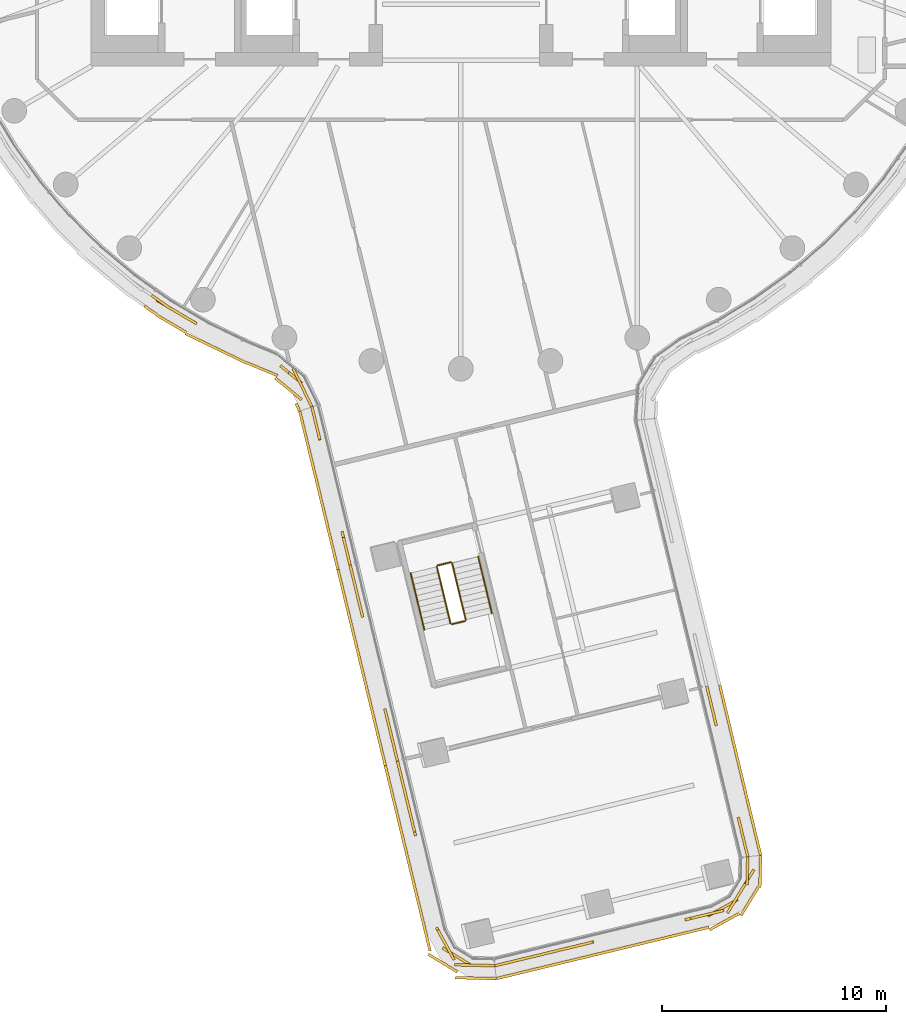
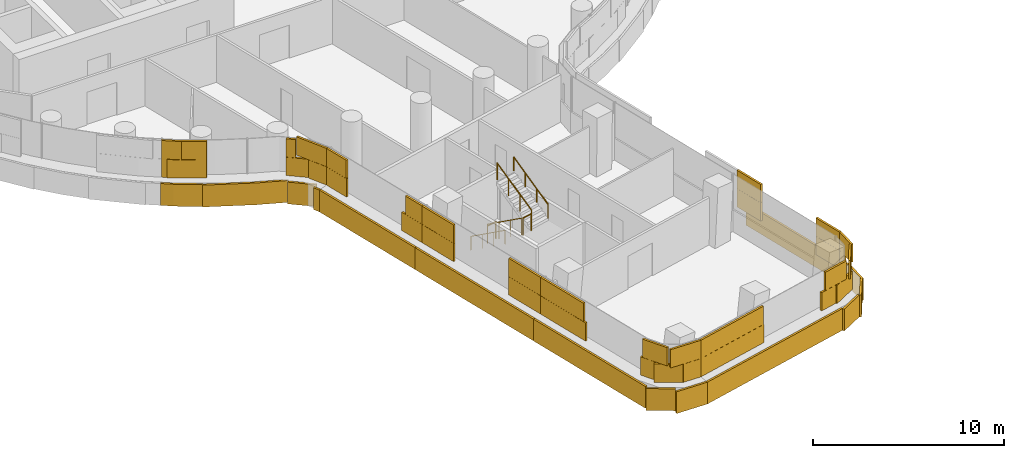
# One storey, part 25 of 33: 6 coverings, 6 railings.
"""IFC4 building model written with IfcOpenShell, lengths in metres."""

from ifc_helpers import new_model, si_unit, direction, frame, origin, origin_2d, place, context, subcontext, project, spatial, rectangle, circle, extrude, material, layer, layer_set, type_object, element, save


model = new_model("IFC4")

# Units and contexts
model_context = context("Model", 3, precision=1e-05, world=origin(), true_north=direction((0.0, 1.0)))
body_context = subcontext(model_context, "Body", "Model", "MODEL_VIEW")
ifc_project = project(units=[si_unit("LENGTHUNIT", "METRE"), si_unit("AREAUNIT", "SQUARE_METRE"), si_unit("VOLUMEUNIT", "CUBIC_METRE"), si_unit("PLANEANGLEUNIT", "RADIAN"), si_unit("MASSUNIT", "GRAM", prefix="KILO")], contexts=[model_context])

# Site, building, storey
site_placement = place(None, origin())
site = spatial("IfcSite", under=ifc_project, at=site_placement, CompositionType="ELEMENT")
building_placement = place(site_placement, origin())
building = spatial("IfcBuilding", under=site, at=building_placement, Name="Tamarind Cross Interchange Tower", CompositionType="ELEMENT")
storey_placement = place(building_placement, frame((0.0, 0.0, 83.5)))
storey = spatial("IfcBuildingStorey", under=building, at=storey_placement, Name="L19", CompositionType="ELEMENT", Elevation=83.5)

# Railings
ifc_material_1 = material(Name="Stair guard")
railing_type_1 = type_object("IfcRailingType", Name="Stair guard", PredefinedType="GUARDRAIL", material=ifc_material_1)
railing_1_placement = place(storey_placement, frame((-1.072265625, -31.82666015625, 0.17041015625)))
element("IfcRailing", 1, at=railing_1_placement, inside=storey, type_object=railing_type_1, Name="L19 ST6 stair guard 1", PredefinedType="GUARDRAIL", context=body_context, shape_type="SweptSolid", body=[
    extrude(circle(Radius=0.02392578125, at=origin_2d()), frame((0.0, 0.0, 1.076171875), z_axis=(0.196395776398, -0.812910466723, 0.548274814399), x_axis=(0.972034184093, 0.234839402475, 0.0)), (0.0, 0.0, 1.0), 3.10888671875),
    extrude(circle(Radius=0.02099609375, at=origin_2d()), origin(), (0.0, 0.0, 1.0), 1.052001953125),
    extrude(circle(Radius=0.02099609375, at=origin_2d()), frame((0.20361328125, -0.842529296875, 0.568115234375)), (0.0, 0.0, 1.0), 1.052001953125),
    extrude(circle(Radius=0.02099609375, at=origin_2d()), frame((0.406982421875, -1.684814453125, 1.136474609375)), (0.0, 0.0, 1.0), 1.052001953125),
    extrude(circle(Radius=0.02099609375, at=origin_2d()), frame((0.610595703125, -2.52734375, 1.70458984375)), (0.0, 0.0, 1.0), 1.052001953125),
])
railing_2_placement = place(storey_placement, frame((-0.4013671875, -34.390869140625, 1.875)))
element("IfcRailing", 2, at=railing_2_placement, inside=storey, type_object=railing_type_1, Name="L19 ST6 stair guard 2", PredefinedType="GUARDRAIL", context=body_context, shape_type="SweptSolid", body=[
    extrude(circle(Radius=0.02392578125, at=origin_2d()), frame((0.0, 0.0, 1.076171875), z_axis=(0.97195727422, 0.235157515487, 0.0), x_axis=(-0.235157515487, 0.97195727422, 0.0)), (0.0, 0.0, 1.0), 0.60009765625),
    extrude(circle(Radius=0.02099609375, at=origin_2d()), origin(), (0.0, 0.0, 1.0), 1.052001953125),
    extrude(circle(Radius=0.02099609375, at=origin_2d()), frame((0.583251953125, 0.14111328125, 0.0)), (0.0, 0.0, 1.0), 1.052001953125),
])
railing_3_placement = place(storey_placement, frame((0.21875, -34.189453125, 2.04541015625)))
element("IfcRailing", 3, at=railing_3_placement, inside=storey, type_object=railing_type_1, Name="L19 ST6 stair guard 3", PredefinedType="GUARDRAIL", context=body_context, shape_type="SweptSolid", body=[
    extrude(circle(Radius=0.02392578125, at=origin_2d()), frame((0.0, 0.0, 1.076171875), z_axis=(-0.196408313984, 0.812883829688, 0.548309815369), x_axis=(-0.972029004941, -0.234860838697, 0.0)), (0.0, 0.0, 1.0), 3.10888671875),
    extrude(circle(Radius=0.02099609375, at=origin_2d()), origin(), (0.0, 0.0, 1.0), 1.052001953125),
    extrude(circle(Radius=0.02099609375, at=origin_2d()), frame((-0.20361328125, 0.84228515625, 0.568115234375)), (0.0, 0.0, 1.0), 1.052001953125),
    extrude(circle(Radius=0.02099609375, at=origin_2d()), frame((-0.406982421875, 1.684814453125, 1.136474609375)), (0.0, 0.0, 1.0), 1.052001953125),
    extrude(circle(Radius=0.02099609375, at=origin_2d()), frame((-0.610595703125, 2.527099609375, 1.70458984375)), (0.0, 0.0, 1.0), 1.052001953125),
])
railing_4_placement = place(storey_placement, frame((-1.035400390625, -31.766357421875, 0.0)))
element("IfcRailing", 4, at=railing_4_placement, inside=storey, type_object=railing_type_1, Name="L19 ST6 stair guard 4", PredefinedType="GUARDRAIL", context=body_context, shape_type="SweptSolid", body=[
    extrude(circle(Radius=0.02392578125, at=origin_2d()), frame((0.0, 0.0, 1.076171875), z_axis=(0.972050197277, 0.234773111691, 0.0), x_axis=(-0.234773111691, 0.972050197277, 0.0)), (0.0, 0.0, 1.0), 0.60009765625),
    extrude(circle(Radius=0.02099609375, at=origin_2d()), origin(), (0.0, 0.0, 1.0), 1.052001953125),
    extrude(circle(Radius=0.02099609375, at=origin_2d()), frame((0.583251953125, 0.140869140625, 0.0)), (0.0, 0.0, 1.0), 1.052001953125),
])
ifc_material_2 = material(Name="Stair handrail")
railing_type_2 = type_object("IfcRailingType", Name="Stair handrail", PredefinedType="HANDRAIL", material=ifc_material_2)
railing_5_placement = place(storey_placement, frame((-2.23876953125, -32.1083984375, 0.17041015625)))
element("IfcRailing", 5, at=railing_5_placement, inside=storey, type_object=railing_type_2, Name="L19 ST6 stair handrail 1", PredefinedType="HANDRAIL", context=body_context, shape_type="SweptSolid", body=[
    extrude(circle(Radius=0.02392578125, at=origin_2d()), frame((0.0, 0.0, 0.8759765625), z_axis=(0.196395776398, -0.812910466723, 0.548274814399), x_axis=(0.972034184093, 0.234839402475, 0.0)), (0.0, 0.0, 1.0), 3.10888671875),
    extrude(circle(Radius=0.02099609375, at=origin_2d()), origin(), (0.0, 0.0, 1.0), 0.851806640625),
    extrude(circle(Radius=0.02099609375, at=origin_2d()), frame((0.20361328125, -0.842529296875, 0.568115234375)), (0.0, 0.0, 1.0), 0.851806640625),
    extrude(circle(Radius=0.02099609375, at=origin_2d()), frame((0.406982421875, -1.684814453125, 1.136474609375)), (0.0, 0.0, 1.0), 0.851806640625),
    extrude(circle(Radius=0.02099609375, at=origin_2d()), frame((0.610595703125, -2.52734375, 1.70458984375)), (0.0, 0.0, 1.0), 0.851806640625),
])
railing_6_placement = place(storey_placement, frame((1.38525390625, -33.90771484375, 2.04541015625)))
element("IfcRailing", 6, at=railing_6_placement, inside=storey, type_object=railing_type_2, Name="L19 ST6 stair handrail 2", PredefinedType="HANDRAIL", context=body_context, shape_type="SweptSolid", body=[
    extrude(circle(Radius=0.02392578125, at=origin_2d()), frame((0.0, 0.0, 0.8759765625), z_axis=(-0.196395776398, 0.812910466723, 0.548274814399), x_axis=(-0.972034184093, -0.234839402475, 0.0)), (0.0, 0.0, 1.0), 3.10888671875),
    extrude(circle(Radius=0.02099609375, at=origin_2d()), origin(), (0.0, 0.0, 1.0), 0.851806640625),
    extrude(circle(Radius=0.02099609375, at=origin_2d()), frame((-0.20361328125, 0.842529296875, 0.568115234375)), (0.0, 0.0, 1.0), 0.851806640625),
    extrude(circle(Radius=0.02099609375, at=origin_2d()), frame((-0.406982421875, 1.684814453125, 1.136474609375)), (0.0, 0.0, 1.0), 0.851806640625),
    extrude(circle(Radius=0.02099609375, at=origin_2d()), frame((-0.610595703125, 2.52734375, 1.70458984375)), (0.0, 0.0, 1.0), 0.851806640625),
])

# Coverings
ifc_material_3 = material(Name="Terracotta", Category="masonry")
ifc_layer = layer(ifc_material_3, 0.1201171875)
ifc_layer_set = layer_set([ifc_layer], Name="Terracotta")
covering_type = type_object("IfcCoveringType", Name="Terracotta baguette screen unit", PredefinedType="MOLDING", material=ifc_layer_set)
covering_1_placement = place(storey_placement, origin())
element("IfcCovering", 7, at=covering_1_placement, inside=storey, type_object=covering_type, Name="SCR-L19-06-01", PredefinedType="MOLDING", context=body_context, shape_type="SweptSolid", body=[
    extrude(rectangle(XDim=0.298095703125, YDim=0.1201171875, at=origin_2d()), frame((-13.66259765625, -19.813232421875, 1.404052734375), z_axis=(0.0, 0.0, 1.0), x_axis=(0.816341886298, -0.577568978284, 0.0)), (0.0, 0.0, 1.0), 1.1669921875),
    extrude(rectangle(XDim=1.52001953125, YDim=0.1201171875, at=origin_2d()), frame((-12.92431640625, -20.31640625, 1.404052734375), z_axis=(0.0, 0.0, 1.0), x_axis=(0.861248933065, -0.508183308752, 0.0)), (0.0, 0.0, 1.0), 1.1669921875),
    extrude(rectangle(XDim=0.58251953125, YDim=0.1201171875, at=origin_2d()), frame((-12.03173828125, -20.843017578125, 1.404052734375), z_axis=(0.0, 0.0, 1.0), x_axis=(0.861248933065, -0.508183308752, 0.0)), (0.0, 0.0, 1.0), 1.1669921875),
    extrude(rectangle(XDim=1.237548828125, YDim=0.1201171875, at=origin_2d()), frame((-7.568603515625, -23.252685546875, 1.404052734375), z_axis=(0.0, 0.0, 1.0), x_axis=(0.77396322727, -0.633230544773, 0.0)), (0.0, 0.0, 1.0), 1.1669921875),
    extrude(rectangle(XDim=1.142822265625, YDim=0.1201171875, at=origin_2d()), frame((-6.891845703125, -24.1875, 1.404052734375), z_axis=(0.0, 0.0, 1.0), x_axis=(0.43992053999, -0.898036702198, 0.0)), (0.0, 0.0, 1.0), 1.1669921875),
    extrude(rectangle(XDim=1.048095703125, YDim=0.1201171875, at=origin_2d()), frame((-13.3564453125, -20.02978515625, 2.5791015625), z_axis=(0.0, 0.0, 1.0), x_axis=(0.816341886298, -0.577568978284, 0.0)), (0.0, 0.0, 1.0), 1.1669921875),
    extrude(rectangle(XDim=1.33251953125, YDim=0.1201171875, at=origin_2d()), frame((-12.354736328125, -20.652587890625, 2.5791015625), z_axis=(0.0, 0.0, 1.0), x_axis=(0.861248933065, -0.508183308752, 0.0)), (0.0, 0.0, 1.0), 1.1669921875),
    extrude(rectangle(XDim=0.487548828125, YDim=0.1201171875, at=origin_2d()), frame((-7.85888671875, -23.01513671875, 2.5791015625), z_axis=(0.0, 0.0, 1.0), x_axis=(0.77396322727, -0.633230544773, 0.0)), (0.0, 0.0, 1.0), 1.1669921875),
    extrude(rectangle(XDim=1.52001953125, YDim=0.1201171875, at=origin_2d()), frame((-7.140869140625, -23.678955078125, 2.5791015625), z_axis=(0.0, 0.0, 1.0), x_axis=(0.43992053999, -0.898036702198, 0.0)), (0.0, 0.0, 1.0), 1.1669921875),
    extrude(rectangle(XDim=0.392822265625, YDim=0.1201171875, at=origin_2d()), frame((-6.726806640625, -24.5244140625, 2.5791015625), z_axis=(0.0, 0.0, 1.0), x_axis=(0.43992053999, -0.898036702198, 0.0)), (0.0, 0.0, 1.0), 1.1669921875),
    extrude(rectangle(XDim=0.705810546875, YDim=0.1201171875, at=origin_2d()), frame((-13.82080078125, -20.404541015625, 0.00390625), z_axis=(0.0, 0.0, 1.0), x_axis=(0.816341886298, -0.577568978284, 0.0)), (0.0, 0.0, 1.0), 1.39208984375),
    extrude(rectangle(XDim=1.52001953125, YDim=0.1201171875, at=origin_2d()), frame((-12.902587890625, -20.995849609375, 0.00390625), z_axis=(0.0, 0.0, 1.0), x_axis=(0.861248933065, -0.508183308752, 0.0)), (0.0, 0.0, 1.0), 1.39208984375),
    extrude(rectangle(XDim=1.52001953125, YDim=0.1201171875, at=origin_2d()), frame((-11.609375, -21.755126953125, 0.00390625), z_axis=(0.0, 0.0, 1.0), x_axis=(0.900272776334, -0.435326231914, 0.0)), (0.0, 0.0, 1.0), 1.39208984375),
    extrude(rectangle(XDim=1.52001953125, YDim=0.1201171875, at=origin_2d()), frame((-10.2587890625, -22.408203125, 0.00390625), z_axis=(0.0, 0.0, 1.0), x_axis=(0.900272776334, -0.435326231914, 0.0)), (0.0, 0.0, 1.0), 1.39208984375),
    extrude(rectangle(XDim=1.52001953125, YDim=0.1201171875, at=origin_2d()), frame((-8.885009765625, -23.0087890625, 0.00390625), z_axis=(0.0, 0.0, 1.0), x_axis=(0.923563862157, -0.383444640748, 0.0)), (0.0, 0.0, 1.0), 1.39208984375),
    extrude(rectangle(XDim=1.52001953125, YDim=0.1201171875, at=origin_2d()), frame((-7.687255859375, -23.897216796875, 0.00390625), z_axis=(0.0, 0.0, 1.0), x_axis=(0.77396322727, -0.633230544773, 0.0)), (0.0, 0.0, 1.0), 1.39208984375),
    extrude(rectangle(XDim=0.376953125, YDim=0.1201171875, at=origin_2d()), frame((-7.2685546875, -24.722900390625, 0.00390625), z_axis=(0.0, 0.0, 1.0), x_axis=(0.43992053999, -0.898036702198, 0.0)), (0.0, 0.0, 1.0), 1.39208984375),
])
covering_2_placement = place(storey_placement, origin())
element("IfcCovering", 8, at=covering_2_placement, inside=storey, type_object=covering_type, Name="SCR-L19-07-00", PredefinedType="MOLDING", context=body_context, shape_type="SweptSolid", body=[
    extrude(rectangle(XDim=0.760009765625, YDim=0.1201171875, at=origin_2d()), frame((-6.554443359375, -25.060791015625, 1.404052734375), z_axis=(0.0, 0.0, 1.0), x_axis=(0.234843537027, -0.972033185193, 0.0)), (0.0, 0.0, 1.0), 1.1669921875),
    extrude(rectangle(XDim=0.784912109375, YDim=0.1201171875, at=origin_2d()), frame((-6.37548828125, -25.8017578125, 1.404052734375), z_axis=(0.0, 0.0, 1.0), x_axis=(0.234843537027, -0.972033185193, 0.0)), (0.0, 0.0, 1.0), 1.1669921875),
    extrude(rectangle(XDim=1.03515625, YDim=0.1201171875, at=origin_2d()), frame((-5.177734375, -30.75927734375, 1.404052734375), z_axis=(0.0, 0.0, 1.0), x_axis=(0.234843537027, -0.972033185193, 0.0)), (0.0, 0.0, 1.0), 1.1669921875),
    extrude(rectangle(XDim=0.509521484375, YDim=0.1201171875, at=origin_2d()), frame((-4.998779296875, -31.500244140625, 1.404052734375), z_axis=(0.0, 0.0, 1.0), x_axis=(0.234843537027, -0.972033185193, 0.0)), (0.0, 0.0, 1.0), 1.1669921875),
    extrude(rectangle(XDim=1.510009765625, YDim=0.1201171875, at=origin_2d()), frame((-6.466552734375, -25.42529296875, 2.5791015625), z_axis=(0.0, 0.0, 1.0), x_axis=(0.234843537027, -0.972033185193, 0.0)), (0.0, 0.0, 1.0), 1.1669921875),
    extrude(rectangle(XDim=1.259521484375, YDim=0.1201171875, at=origin_2d()), frame((-5.086669921875, -31.1357421875, 2.5791015625), z_axis=(0.0, 0.0, 1.0), x_axis=(0.234843537027, -0.972033185193, 0.0)), (0.0, 0.0, 1.0), 1.1669921875),
    extrude(rectangle(XDim=0.760009765625, YDim=0.1201171875, at=origin_2d()), frame((-7.096435546875, -25.26171875, 0.00390625), z_axis=(0.0, 0.0, 1.0), x_axis=(0.234843537027, -0.972033185193, 0.0)), (0.0, 0.0, 1.0), 1.39208984375),
    extrude(rectangle(XDim=1.52001953125, YDim=0.1201171875, at=origin_2d()), frame((-6.83349609375, -26.350341796875, 0.00390625), z_axis=(0.0, 0.0, 1.0), x_axis=(0.234843537027, -0.972033185193, 0.0)), (0.0, 0.0, 1.0), 1.39208984375),
    extrude(rectangle(XDim=1.52001953125, YDim=0.1201171875, at=origin_2d()), frame((-6.481201171875, -27.808349609375, 0.00390625), z_axis=(0.0, 0.0, 1.0), x_axis=(0.234843537027, -0.972033185193, 0.0)), (0.0, 0.0, 1.0), 1.39208984375),
    extrude(rectangle(XDim=1.52001953125, YDim=0.1201171875, at=origin_2d()), frame((-6.12890625, -29.266357421875, 0.00390625), z_axis=(0.0, 0.0, 1.0), x_axis=(0.234843537027, -0.972033185193, 0.0)), (0.0, 0.0, 1.0), 1.39208984375),
    extrude(rectangle(XDim=1.52001953125, YDim=0.1201171875, at=origin_2d()), frame((-5.776611328125, -30.724365234375, 0.00390625), z_axis=(0.0, 0.0, 1.0), x_axis=(0.234843537027, -0.972033185193, 0.0)), (0.0, 0.0, 1.0), 1.39208984375),
    extrude(rectangle(XDim=0.513427734375, YDim=0.1201171875, at=origin_2d()), frame((-5.542724609375, -31.693359375, 0.00390625), z_axis=(0.0, 0.0, 1.0), x_axis=(0.234843537027, -0.972033185193, 0.0)), (0.0, 0.0, 1.0), 1.39208984375),
])
covering_3_placement = place(storey_placement, origin())
element("IfcCovering", 9, at=covering_3_placement, inside=storey, type_object=covering_type, Name="SCR-L19-07-01", PredefinedType="MOLDING", context=body_context, shape_type="SweptSolid", body=[
    extrude(rectangle(XDim=1.010498046875, YDim=0.1201171875, at=origin_2d()), frame((-4.822509765625, -32.229248046875, 1.404052734375), z_axis=(0.0, 0.0, 1.0), x_axis=(0.234843537027, -0.972033185193, 0.0)), (0.0, 0.0, 1.0), 1.1669921875),
    extrude(rectangle(XDim=1.409912109375, YDim=0.1201171875, at=origin_2d()), frame((-4.540771484375, -33.39599609375, 1.404052734375), z_axis=(0.0, 0.0, 1.0), x_axis=(0.234843537027, -0.972033185193, 0.0)), (0.0, 0.0, 1.0), 1.1669921875),
    extrude(rectangle(XDim=0.409912109375, YDim=0.1201171875, at=origin_2d()), frame((-3.343017578125, -38.353271484375, 1.404052734375), z_axis=(0.0, 0.0, 1.0), x_axis=(0.234843537027, -0.972033185193, 0.0)), (0.0, 0.0, 1.0), 1.1669921875),
    extrude(rectangle(XDim=1.52001953125, YDim=0.1201171875, at=origin_2d()), frame((-3.119873046875, -39.27685546875, 1.404052734375), z_axis=(0.0, 0.0, 1.0), x_axis=(0.234843537027, -0.972033185193, 0.0)), (0.0, 0.0, 1.0), 1.1669921875),
    extrude(rectangle(XDim=0.51025390625, YDim=0.1201171875, at=origin_2d()), frame((-2.885009765625, -40.2490234375, 1.404052734375), z_axis=(0.0, 0.0, 1.0), x_axis=(0.234843537027, -0.972033185193, 0.0)), (0.0, 0.0, 1.0), 1.1669921875),
    extrude(rectangle(XDim=0.260498046875, YDim=0.1201171875, at=origin_2d()), frame((-4.91064453125, -31.86474609375, 2.5791015625), z_axis=(0.0, 0.0, 1.0), x_axis=(0.234843537027, -0.972033185193, 0.0)), (0.0, 0.0, 1.0), 1.1669921875),
    extrude(rectangle(XDim=1.52001953125, YDim=0.1201171875, at=origin_2d()), frame((-4.705078125, -32.715576171875, 2.5791015625), z_axis=(0.0, 0.0, 1.0), x_axis=(0.234843537027, -0.972033185193, 0.0)), (0.0, 0.0, 1.0), 1.1669921875),
    extrude(rectangle(XDim=0.659912109375, YDim=0.1201171875, at=origin_2d()), frame((-4.45263671875, -33.760498046875, 2.5791015625), z_axis=(0.0, 0.0, 1.0), x_axis=(0.234843537027, -0.972033185193, 0.0)), (0.0, 0.0, 1.0), 1.1669921875),
    extrude(rectangle(XDim=1.159912109375, YDim=0.1201171875, at=origin_2d()), frame((-3.2548828125, -38.7177734375, 2.5791015625), z_axis=(0.0, 0.0, 1.0), x_axis=(0.234843537027, -0.972033185193, 0.0)), (0.0, 0.0, 1.0), 1.1669921875),
    extrude(rectangle(XDim=1.26025390625, YDim=0.1201171875, at=origin_2d()), frame((-2.97314453125, -39.884521484375, 2.5791015625), z_axis=(0.0, 0.0, 1.0), x_axis=(0.234843537027, -0.972033185193, 0.0)), (0.0, 0.0, 1.0), 1.1669921875),
    extrude(rectangle(XDim=1.006591796875, YDim=0.1201171875, at=origin_2d()), frame((-5.364013671875, -32.43212890625, 0.00390625), z_axis=(0.0, 0.0, 1.0), x_axis=(0.234843537027, -0.972033185193, 0.0)), (0.0, 0.0, 1.0), 1.39208984375),
    extrude(rectangle(XDim=1.52001953125, YDim=0.1201171875, at=origin_2d()), frame((-5.072265625, -33.640625, 0.00390625), z_axis=(0.0, 0.0, 1.0), x_axis=(0.234843537027, -0.972033185193, 0.0)), (0.0, 0.0, 1.0), 1.39208984375),
    extrude(rectangle(XDim=1.52001953125, YDim=0.1201171875, at=origin_2d()), frame((-4.719970703125, -35.0986328125, 0.00390625), z_axis=(0.0, 0.0, 1.0), x_axis=(0.234843537027, -0.972033185193, 0.0)), (0.0, 0.0, 1.0), 1.39208984375),
    extrude(rectangle(XDim=1.52001953125, YDim=0.1201171875, at=origin_2d()), frame((-4.36767578125, -36.556640625, 0.00390625), z_axis=(0.0, 0.0, 1.0), x_axis=(0.234843537027, -0.972033185193, 0.0)), (0.0, 0.0, 1.0), 1.39208984375),
    extrude(rectangle(XDim=1.52001953125, YDim=0.1201171875, at=origin_2d()), frame((-4.015380859375, -38.0146484375, 0.00390625), z_axis=(0.0, 0.0, 1.0), x_axis=(0.234843537027, -0.972033185193, 0.0)), (0.0, 0.0, 1.0), 1.39208984375),
    extrude(rectangle(XDim=1.52001953125, YDim=0.1201171875, at=origin_2d()), frame((-3.6630859375, -39.47265625, 0.00390625), z_axis=(0.0, 0.0, 1.0), x_axis=(0.234843537027, -0.972033185193, 0.0)), (0.0, 0.0, 1.0), 1.39208984375),
    extrude(rectangle(XDim=0.518798828125, YDim=0.1201171875, at=origin_2d()), frame((-3.428466796875, -40.4443359375, 0.00390625), z_axis=(0.0, 0.0, 1.0), x_axis=(0.234843537027, -0.972033185193, 0.0)), (0.0, 0.0, 1.0), 1.39208984375),
])
covering_4_placement = place(storey_placement, origin())
element("IfcCovering", 10, at=covering_4_placement, inside=storey, type_object=covering_type, Name="SCR-L19-07-02", PredefinedType="MOLDING", context=body_context, shape_type="SweptSolid", body=[
    extrude(rectangle(XDim=1.009765625, YDim=0.1201171875, at=origin_2d()), frame((-2.708984375, -40.97802734375, 1.404052734375), z_axis=(0.0, 0.0, 1.0), x_axis=(0.234843537027, -0.972033185193, 0.0)), (0.0, 0.0, 1.0), 1.1669921875),
    extrude(rectangle(XDim=1.52001953125, YDim=0.1201171875, at=origin_2d()), frame((-2.415283203125, -42.19287109375, 1.404052734375), z_axis=(0.0, 0.0, 1.0), x_axis=(0.234843537027, -0.972033185193, 0.0)), (0.0, 0.0, 1.0), 1.1669921875),
    extrude(rectangle(XDim=0.929931640625, YDim=0.1201171875, at=origin_2d()), frame((-2.13134765625, -43.368896484375, 1.404052734375), z_axis=(0.0, 0.0, 1.0), x_axis=(0.234843537027, -0.972033185193, 0.0)), (0.0, 0.0, 1.0), 1.1669921875),
    extrude(rectangle(XDim=0.89013671875, YDim=0.1201171875, at=origin_2d()), frame((-0.87353515625, -48.30322265625, 1.404052734375), z_axis=(0.0, 0.0, 1.0), x_axis=(0.478422138351, -0.878129977586, 0.0)), (0.0, 0.0, 1.0), 1.1669921875),
    extrude(rectangle(XDim=1.52001953125, YDim=0.1201171875, at=origin_2d()), frame((-0.167236328125, -49.2177734375, 1.404052734375), z_axis=(0.0, 0.0, 1.0), x_axis=(0.853390714338, -0.521271799238, 0.0)), (0.0, 0.0, 1.0), 1.1669921875),
    extrude(rectangle(XDim=1.04931640625, YDim=0.1201171875, at=origin_2d()), frame((0.9970703125, -49.605712890625, 1.404052734375), z_axis=(0.0, 0.0, 1.0), x_axis=(0.99969393759, -0.024739263248, 0.0)), (0.0, 0.0, 1.0), 1.1669921875),
    extrude(rectangle(XDim=0.259765625, YDim=0.1201171875, at=origin_2d()), frame((-2.796875, -40.613525390625, 2.5791015625), z_axis=(0.0, 0.0, 1.0), x_axis=(0.234843537027, -0.972033185193, 0.0)), (0.0, 0.0, 1.0), 1.1669921875),
    extrude(rectangle(XDim=1.52001953125, YDim=0.1201171875, at=origin_2d()), frame((-2.591552734375, -41.4638671875, 2.5791015625), z_axis=(0.0, 0.0, 1.0), x_axis=(0.234843537027, -0.972033185193, 0.0)), (0.0, 0.0, 1.0), 1.1669921875),
    extrude(rectangle(XDim=1.52001953125, YDim=0.1201171875, at=origin_2d()), frame((-2.2392578125, -42.921875, 2.5791015625), z_axis=(0.0, 0.0, 1.0), x_axis=(0.234843537027, -0.972033185193, 0.0)), (0.0, 0.0, 1.0), 1.1669921875),
    extrude(rectangle(XDim=1.52001953125, YDim=0.1201171875, at=origin_2d()), frame((-0.662841796875, -48.689697265625, 2.5791015625), z_axis=(0.0, 0.0, 1.0), x_axis=(0.478422138351, -0.878129977586, 0.0)), (0.0, 0.0, 1.0), 1.1669921875),
    extrude(rectangle(XDim=1.52001953125, YDim=0.1201171875, at=origin_2d()), frame((0.4775390625, -49.593017578125, 2.5791015625), z_axis=(0.0, 0.0, 1.0), x_axis=(0.99969393759, -0.024739263248, 0.0)), (0.0, 0.0, 1.0), 1.1669921875),
    extrude(rectangle(XDim=0.29931640625, YDim=0.1201171875, at=origin_2d()), frame((1.3720703125, -49.614990234375, 2.5791015625), z_axis=(0.0, 0.0, 1.0), x_axis=(0.99969393759, -0.024739263248, 0.0)), (0.0, 0.0, 1.0), 1.1669921875),
    extrude(rectangle(XDim=1.001220703125, YDim=0.1201171875, at=origin_2d()), frame((-3.25, -41.182861328125, 0.00390625), z_axis=(0.0, 0.0, 1.0), x_axis=(0.234843537027, -0.972033185193, 0.0)), (0.0, 0.0, 1.0), 1.39208984375),
    extrude(rectangle(XDim=1.52001953125, YDim=0.1201171875, at=origin_2d()), frame((-2.95849609375, -42.388916015625, 0.00390625), z_axis=(0.0, 0.0, 1.0), x_axis=(0.234843537027, -0.972033185193, 0.0)), (0.0, 0.0, 1.0), 1.39208984375),
    extrude(rectangle(XDim=1.52001953125, YDim=0.1201171875, at=origin_2d()), frame((-2.606201171875, -43.846923828125, 0.00390625), z_axis=(0.0, 0.0, 1.0), x_axis=(0.234843537027, -0.972033185193, 0.0)), (0.0, 0.0, 1.0), 1.39208984375),
    extrude(rectangle(XDim=1.52001953125, YDim=0.1201171875, at=origin_2d()), frame((-2.25390625, -45.304931640625, 0.00390625), z_axis=(0.0, 0.0, 1.0), x_axis=(0.234843537027, -0.972033185193, 0.0)), (0.0, 0.0, 1.0), 1.39208984375),
    extrude(rectangle(XDim=1.52001953125, YDim=0.1201171875, at=origin_2d()), frame((-1.90185546875, -46.762939453125, 0.00390625), z_axis=(0.0, 0.0, 1.0), x_axis=(0.234843537027, -0.972033185193, 0.0)), (0.0, 0.0, 1.0), 1.39208984375),
    extrude(rectangle(XDim=1.52001953125, YDim=0.1201171875, at=origin_2d()), frame((-1.549560546875, -48.220947265625, 0.00390625), z_axis=(0.0, 0.0, 1.0), x_axis=(0.234843537027, -0.972033185193, 0.0)), (0.0, 0.0, 1.0), 1.39208984375),
    extrude(rectangle(XDim=1.52001953125, YDim=0.1201171875, at=origin_2d()), frame((-0.80419921875, -49.50146484375, 0.00390625), z_axis=(0.0, 0.0, 1.0), x_axis=(0.853390714338, -0.521271799238, 0.0)), (0.0, 0.0, 1.0), 1.39208984375),
    extrude(rectangle(XDim=1.52001953125, YDim=0.1201171875, at=origin_2d()), frame((0.510009765625, -50.16796875, 0.00390625), z_axis=(0.0, 0.0, 1.0), x_axis=(0.99969393759, -0.024739263248, 0.0)), (0.0, 0.0, 1.0), 1.39208984375),
    extrude(rectangle(XDim=0.328369140625, YDim=0.1201171875, at=origin_2d()), frame((1.413818359375, -50.190185546875, 0.00390625), z_axis=(0.0, 0.0, 1.0), x_axis=(0.99969393759, -0.024739263248, 0.0)), (0.0, 0.0, 1.0), 1.39208984375),
])
covering_5_placement = place(storey_placement, origin())
element("IfcCovering", 11, at=covering_5_placement, inside=storey, type_object=covering_type, Name="SCR-L19-08-00", PredefinedType="MOLDING", context=body_context, shape_type="SweptSolid", body=[
    extrude(rectangle(XDim=0.760009765625, YDim=0.1201171875, at=origin_2d()), frame((1.881103515625, -49.530517578125, 1.404052734375), z_axis=(0.0, 0.0, 1.0), x_axis=(0.972033185193, 0.234843537027, 0.0)), (0.0, 0.0, 1.0), 1.1669921875),
    extrude(rectangle(XDim=1.52001953125, YDim=0.1201171875, at=origin_2d()), frame((2.974609375, -49.266357421875, 1.404052734375), z_axis=(0.0, 0.0, 1.0), x_axis=(0.972033185193, 0.234843537027, 0.0)), (0.0, 0.0, 1.0), 1.1669921875),
    extrude(rectangle(XDim=1.52001953125, YDim=0.1201171875, at=origin_2d()), frame((4.4326171875, -48.9140625, 1.404052734375), z_axis=(0.0, 0.0, 1.0), x_axis=(0.972033185193, 0.234843537027, 0.0)), (0.0, 0.0, 1.0), 1.1669921875),
    extrude(rectangle(XDim=0.784912109375, YDim=0.1201171875, at=origin_2d()), frame((5.538330078125, -48.64697265625, 1.404052734375), z_axis=(0.0, 0.0, 1.0), x_axis=(0.972033185193, 0.234843537027, 0.0)), (0.0, 0.0, 1.0), 1.1669921875),
    extrude(rectangle(XDim=1.03515625, YDim=0.1201171875, at=origin_2d()), frame((10.49560546875, -47.44921875, 1.404052734375), z_axis=(0.0, 0.0, 1.0), x_axis=(0.972033185193, 0.234843537027, 0.0)), (0.0, 0.0, 1.0), 1.1669921875),
    extrude(rectangle(XDim=1.52001953125, YDim=0.1201171875, at=origin_2d()), frame((11.67822265625, -47.036865234375, 1.404052734375), z_axis=(0.0, 0.0, 1.0), x_axis=(0.878129977586, 0.478422138351, 0.0)), (0.0, 0.0, 1.0), 1.1669921875),
    extrude(rectangle(XDim=1.52001953125, YDim=0.1201171875, at=origin_2d()), frame((12.67236328125, -45.979736328125, 1.404052734375), z_axis=(0.0, 0.0, 1.0), x_axis=(0.521271799238, 0.853390714338, 0.0)), (0.0, 0.0, 1.0), 1.1669921875),
    extrude(rectangle(XDim=0.509521484375, YDim=0.1201171875, at=origin_2d()), frame((12.785888671875, -45.00634765625, 1.404052734375), z_axis=(0.0, 0.0, 1.0), x_axis=(0.024739263248, 0.99969393759, 0.0)), (0.0, 0.0, 1.0), 1.1669921875),
    extrude(rectangle(XDim=1.510009765625, YDim=0.1201171875, at=origin_2d()), frame((2.24560546875, -49.442626953125, 2.5791015625), z_axis=(0.0, 0.0, 1.0), x_axis=(0.972033185193, 0.234843537027, 0.0)), (0.0, 0.0, 1.0), 1.1669921875),
    extrude(rectangle(XDim=1.52001953125, YDim=0.1201171875, at=origin_2d()), frame((3.70361328125, -49.09033203125, 2.5791015625), z_axis=(0.0, 0.0, 1.0), x_axis=(0.972033185193, 0.234843537027, 0.0)), (0.0, 0.0, 1.0), 1.1669921875),
    extrude(rectangle(XDim=1.52001953125, YDim=0.1201171875, at=origin_2d()), frame((5.161865234375, -48.738037109375, 2.5791015625), z_axis=(0.0, 0.0, 1.0), x_axis=(0.972033185193, 0.234843537027, 0.0)), (0.0, 0.0, 1.0), 1.1669921875),
    extrude(rectangle(XDim=1.52001953125, YDim=0.1201171875, at=origin_2d()), frame((10.993896484375, -47.328857421875, 2.5791015625), z_axis=(0.0, 0.0, 1.0), x_axis=(0.972033185193, 0.234843537027, 0.0)), (0.0, 0.0, 1.0), 1.1669921875),
    extrude(rectangle(XDim=1.52001953125, YDim=0.1201171875, at=origin_2d()), frame((12.281494140625, -46.619873046875, 2.5791015625), z_axis=(0.0, 0.0, 1.0), x_axis=(0.521271799238, 0.853390714338, 0.0)), (0.0, 0.0, 1.0), 1.1669921875),
    extrude(rectangle(XDim=1.259521484375, YDim=0.1201171875, at=origin_2d()), frame((12.776611328125, -45.38134765625, 2.5791015625), z_axis=(0.0, 0.0, 1.0), x_axis=(0.024739263248, 0.99969393759, 0.0)), (0.0, 0.0, 1.0), 1.1669921875),
    extrude(rectangle(XDim=0.760009765625, YDim=0.1201171875, at=origin_2d()), frame((1.947265625, -50.105224609375, 0.00390625), z_axis=(0.0, 0.0, 1.0), x_axis=(0.972033185193, 0.234843537027, 0.0)), (0.0, 0.0, 1.0), 1.39208984375),
    extrude(rectangle(XDim=1.52001953125, YDim=0.1201171875, at=origin_2d()), frame((3.0361328125, -49.842041015625, 0.00390625), z_axis=(0.0, 0.0, 1.0), x_axis=(0.972033185193, 0.234843537027, 0.0)), (0.0, 0.0, 1.0), 1.39208984375),
    extrude(rectangle(XDim=1.52001953125, YDim=0.1201171875, at=origin_2d()), frame((4.494140625, -49.48974609375, 0.00390625), z_axis=(0.0, 0.0, 1.0), x_axis=(0.972033185193, 0.234843537027, 0.0)), (0.0, 0.0, 1.0), 1.39208984375),
    extrude(rectangle(XDim=1.52001953125, YDim=0.1201171875, at=origin_2d()), frame((5.9521484375, -49.137451171875, 0.00390625), z_axis=(0.0, 0.0, 1.0), x_axis=(0.972033185193, 0.234843537027, 0.0)), (0.0, 0.0, 1.0), 1.39208984375),
    extrude(rectangle(XDim=1.52001953125, YDim=0.1201171875, at=origin_2d()), frame((7.41015625, -48.785400390625, 0.00390625), z_axis=(0.0, 0.0, 1.0), x_axis=(0.972033185193, 0.234843537027, 0.0)), (0.0, 0.0, 1.0), 1.39208984375),
    extrude(rectangle(XDim=1.52001953125, YDim=0.1201171875, at=origin_2d()), frame((8.8681640625, -48.43310546875, 0.00390625), z_axis=(0.0, 0.0, 1.0), x_axis=(0.972033185193, 0.234843537027, 0.0)), (0.0, 0.0, 1.0), 1.39208984375),
    extrude(rectangle(XDim=1.52001953125, YDim=0.1201171875, at=origin_2d()), frame((10.326171875, -48.080810546875, 0.00390625), z_axis=(0.0, 0.0, 1.0), x_axis=(0.972033185193, 0.234843537027, 0.0)), (0.0, 0.0, 1.0), 1.39208984375),
    extrude(rectangle(XDim=1.52001953125, YDim=0.1201171875, at=origin_2d()), frame((11.75390625, -47.6494140625, 0.00390625), z_axis=(0.0, 0.0, 1.0), x_axis=(0.878129977586, 0.478422138351, 0.0)), (0.0, 0.0, 1.0), 1.39208984375),
    extrude(rectangle(XDim=1.52001953125, YDim=0.1201171875, at=origin_2d()), frame((12.8837890625, -46.73486328125, 0.00390625), z_axis=(0.0, 0.0, 1.0), x_axis=(0.521271799238, 0.853390714338, 0.0)), (0.0, 0.0, 1.0), 1.39208984375),
    extrude(rectangle(XDim=1.4267578125, YDim=0.1201171875, at=origin_2d()), frame((13.35009765625, -45.408935546875, 0.00390625), z_axis=(0.0, 0.0, 1.0), x_axis=(0.024739263248, 0.99969393759, 0.0)), (0.0, 0.0, 1.0), 1.39208984375),
])
covering_6_placement = place(storey_placement, origin())
element("IfcCovering", 12, at=covering_6_placement, inside=storey, type_object=covering_type, Name="SCR-L19-09-00", PredefinedType="MOLDING", context=body_context, shape_type="SweptSolid", body=[
    extrude(rectangle(XDim=0.760009765625, YDim=0.1201171875, at=origin_2d()), frame((12.704345703125, -44.39208984375, 1.404052734375), z_axis=(0.0, 0.0, 1.0), x_axis=(-0.233544182771, 0.972346190764, 0.0)), (0.0, 0.0, 1.0), 1.1669921875),
    extrude(rectangle(XDim=1.06591796875, YDim=0.1201171875, at=origin_2d()), frame((12.49365234375, -43.51416015625, 1.404052734375), z_axis=(0.0, 0.0, 1.0), x_axis=(-0.233544182771, 0.972346190764, 0.0)), (0.0, 0.0, 1.0), 1.1669921875),
    extrude(rectangle(XDim=0.754150390625, YDim=0.1201171875, at=origin_2d()), frame((11.302490234375, -38.55517578125, 1.404052734375), z_axis=(0.0, 0.0, 1.0), x_axis=(-0.233544182771, 0.972346190764, 0.0)), (0.0, 0.0, 1.0), 1.1669921875),
    extrude(rectangle(XDim=1.07177734375, YDim=0.1201171875, at=origin_2d()), frame((11.091552734375, -37.67724609375, 1.404052734375), z_axis=(0.0, 0.0, 1.0), x_axis=(-0.233544182771, 0.972346190764, 0.0)), (0.0, 0.0, 1.0), 1.1669921875),
    extrude(rectangle(XDim=1.510009765625, YDim=0.1201171875, at=origin_2d()), frame((12.616943359375, -44.02734375, 2.5791015625), z_axis=(0.0, 0.0, 1.0), x_axis=(-0.233544182771, 0.972346190764, 0.0)), (0.0, 0.0, 1.0), 1.1669921875),
    extrude(rectangle(XDim=0.31591796875, YDim=0.1201171875, at=origin_2d()), frame((12.406005859375, -43.1494140625, 2.5791015625), z_axis=(0.0, 0.0, 1.0), x_axis=(-0.233544182771, 0.972346190764, 0.0)), (0.0, 0.0, 1.0), 1.1669921875),
    extrude(rectangle(XDim=1.504150390625, YDim=0.1201171875, at=origin_2d()), frame((11.21484375, -38.1904296875, 2.5791015625), z_axis=(0.0, 0.0, 1.0), x_axis=(-0.233544182771, 0.972346190764, 0.0)), (0.0, 0.0, 1.0), 1.1669921875),
    extrude(rectangle(XDim=0.32177734375, YDim=0.1201171875, at=origin_2d()), frame((11.00390625, -37.3125, 2.5791015625), z_axis=(0.0, 0.0, 1.0), x_axis=(-0.233544182771, 0.972346190764, 0.0)), (0.0, 0.0, 1.0), 1.1669921875),
    extrude(rectangle(XDim=0.760009765625, YDim=0.1201171875, at=origin_2d()), frame((13.27880859375, -44.326171875, 0.00390625), z_axis=(0.0, 0.0, 1.0), x_axis=(-0.233544182771, 0.972346190764, 0.0)), (0.0, 0.0, 1.0), 1.39208984375),
    extrude(rectangle(XDim=1.52001953125, YDim=0.1201171875, at=origin_2d()), frame((13.017333984375, -43.237060546875, 0.00390625), z_axis=(0.0, 0.0, 1.0), x_axis=(-0.233544182771, 0.972346190764, 0.0)), (0.0, 0.0, 1.0), 1.39208984375),
    extrude(rectangle(XDim=1.52001953125, YDim=0.1201171875, at=origin_2d()), frame((12.6669921875, -41.778564453125, 0.00390625), z_axis=(0.0, 0.0, 1.0), x_axis=(-0.233544182771, 0.972346190764, 0.0)), (0.0, 0.0, 1.0), 1.39208984375),
    extrude(rectangle(XDim=1.52001953125, YDim=0.1201171875, at=origin_2d()), frame((12.316650390625, -40.320068359375, 0.00390625), z_axis=(0.0, 0.0, 1.0), x_axis=(-0.233544182771, 0.972346190764, 0.0)), (0.0, 0.0, 1.0), 1.39208984375),
    extrude(rectangle(XDim=1.52001953125, YDim=0.1201171875, at=origin_2d()), frame((11.96630859375, -38.861572265625, 0.00390625), z_axis=(0.0, 0.0, 1.0), x_axis=(-0.233544182771, 0.972346190764, 0.0)), (0.0, 0.0, 1.0), 1.39208984375),
    extrude(rectangle(XDim=1.06689453125, YDim=0.1201171875, at=origin_2d()), frame((11.6689453125, -37.623291015625, 0.00390625), z_axis=(0.0, 0.0, 1.0), x_axis=(-0.233544182771, 0.972346190764, 0.0)), (0.0, 0.0, 1.0), 1.39208984375),
])

save(model, "model.ifc")
